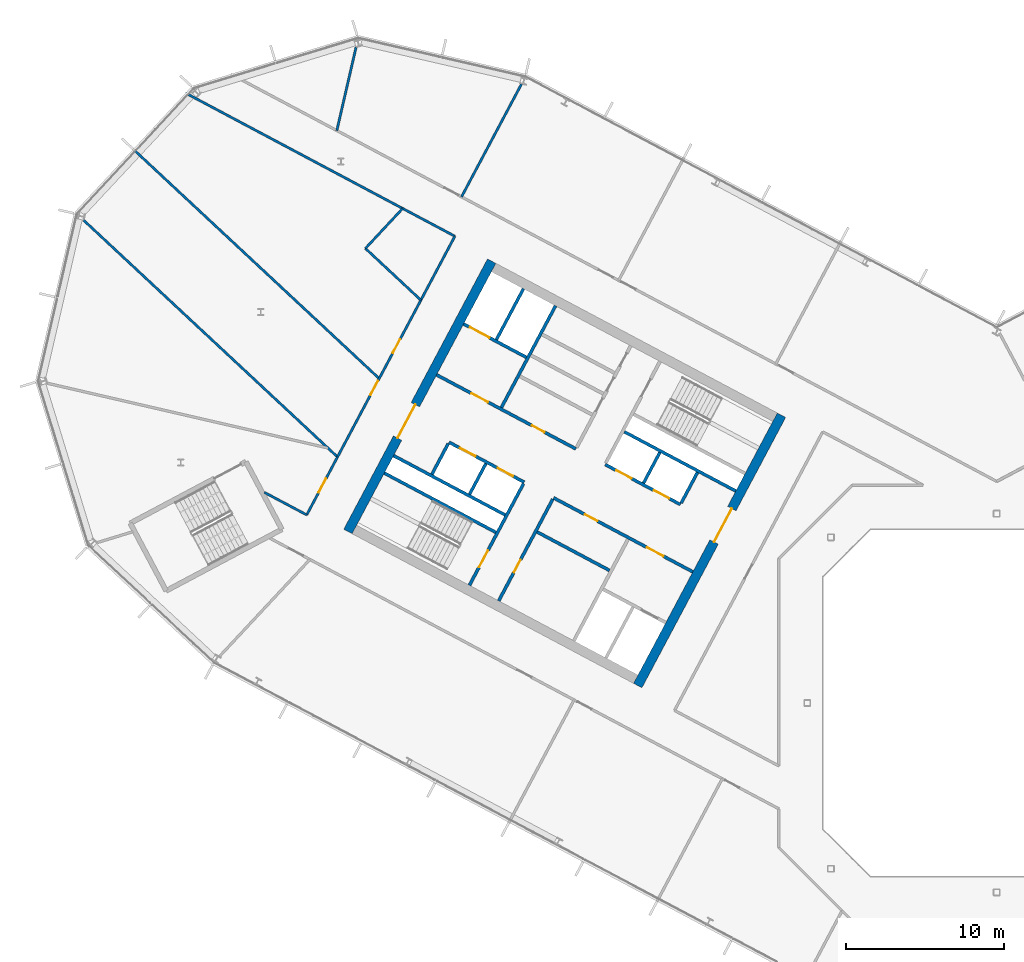
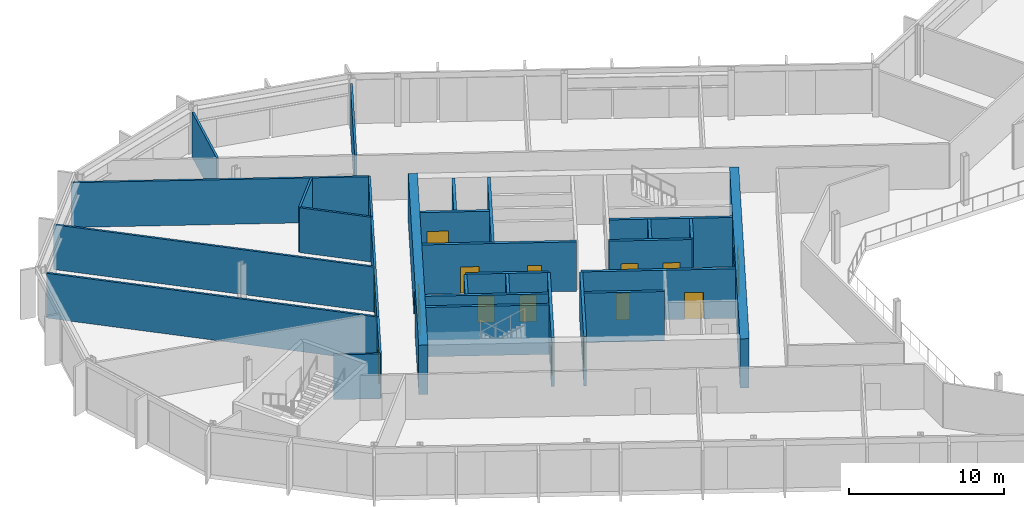
# One storey, part 14 of 27: 29 walls, 16 doors, 16 openings.
"""IFC4 building model written with IfcOpenShell, lengths in metres."""

from ifc_helpers import new_model, si_unit, direction, frame, frame_2d, origin, place, context, subcontext, project, spatial, rectangle, extrude, material, layer, layer_set, type_object, element, fill, save


model = new_model("IFC4")

# Units and contexts
model_context = context("Model", 3, precision=1e-05, world=origin(), true_north=direction((0.0, 1.0)))
body_context = subcontext(model_context, "Body", "Model", "MODEL_VIEW")
ifc_project = project(units=[si_unit("LENGTHUNIT", "METRE"), si_unit("AREAUNIT", "SQUARE_METRE"), si_unit("VOLUMEUNIT", "CUBIC_METRE"), si_unit("PLANEANGLEUNIT", "RADIAN"), si_unit("MASSUNIT", "GRAM", prefix="KILO")], contexts=[model_context])

# Site, building, storey
site_placement = place(None, origin())
site = spatial("IfcSite", under=ifc_project, at=site_placement, CompositionType="ELEMENT")
building_placement = place(site_placement, origin())
building = spatial("IfcBuilding", under=site, at=building_placement, Name="Cormorant Relay Tower", CompositionType="ELEMENT")
storey_placement = place(building_placement, frame((0.0, 0.0, 209.10009765625)))
storey = spatial("IfcBuildingStorey", under=building, at=storey_placement, Name="L45", CompositionType="ELEMENT", Elevation=209.10009765625)

# Walls
ifc_material_1 = material(Name="Concrete 40 MPa", Category="concrete")
ifc_layer_1 = layer(ifc_material_1, 0.199951171875)
ifc_layer_set_1 = layer_set([ifc_layer_1], Name="Core internal wall 200")
wall_type_1 = type_object("IfcWallType", Name="Core internal wall 200", PredefinedType="SOLIDWALL", material=ifc_layer_set_1)
wall_1_placement = place(storey_placement, frame((-21.34375, 15.87890625, 0.0), z_axis=(0.0, 0.0, 1.0), x_axis=(-0.4694473164, -0.882960484464, 0.0)))
element("IfcWall", 1, at=wall_1_placement, inside=storey, type_object=wall_type_1, Name="L45 core A shaft and room wall", PredefinedType="SOLIDWALL", context=body_context, shape_type="SweptSolid", body=[
    extrude(rectangle(XDim=2.199951171875, YDim=0.199951171875, at=frame_2d((1.10009765625, 0.0))), origin(), (0.0, 0.0, 1.0), 3.89990234375),
])
wall_2_placement = place(storey_placement, frame((-32.3662109375, 15.1708984375, 0.0), z_axis=(0.0, 0.0, 1.0), x_axis=(-0.469487830541, -0.882938942948, 0.0)))
element("IfcWall", 2, at=wall_2_placement, inside=storey, type_object=wall_type_1, Name="L45 core A shaft and room wall", PredefinedType="SOLIDWALL", context=body_context, shape_type="SweptSolid", body=[
    extrude(rectangle(XDim=2.2001953125, YDim=0.199951171875, at=frame_2d((1.10009765625, 0.0))), origin(), (0.0, 0.0, 1.0), 3.89990234375),
])
ifc_material_2 = material(Name="Concrete 50 MPa", Category="concrete")
ifc_layer_2 = layer(ifc_material_2, 0.199951171875)
ifc_layer_set_2 = layer_set([ifc_layer_2], Name="Core shaft wall 200")
wall_type_2 = type_object("IfcWallType", Name="Core shaft wall 200", PredefinedType="SHEAR", material=ifc_layer_set_2)
wall_3_placement = place(storey_placement, frame((-18.959716796875, 14.611328125, 0.0), z_axis=(0.0, 0.0, 1.0), x_axis=(-0.4694473164, -0.882960484464, 0.0)))
element("IfcWall", 3, at=wall_3_placement, inside=storey, type_object=wall_type_2, Name="L45 core A shaft wall", PredefinedType="SHEAR", context=body_context, shape_type="SweptSolid", body=[
    extrude(rectangle(XDim=2.199951171875, YDim=0.199951171875, at=frame_2d((1.10009765625, 0.0))), origin(), (0.0, 0.0, 1.0), 3.89990234375),
])

# Wall, opening, door
wall_4_placement = place(storey_placement, frame((-28.128173828125, 12.91748046875, 0.0), z_axis=(0.0, 0.0, 1.0), x_axis=(-0.469454336211, -0.882956752176, 0.0)))
wall_4 = element("IfcWall", 4, at=wall_4_placement, inside=storey, type_object=wall_type_2, Name="L45 core A shaft wall", PredefinedType="SHEAR", context=body_context, shape_type="SweptSolid", body=[
    extrude(rectangle(XDim=7.300048828125, YDim=0.199951171875, at=frame_2d((3.64990234375, 0.0))), origin(), (0.0, 0.0, 1.0), 3.89990234375),
])
opening_1_placement = place(wall_4_placement, frame((4.35009765625, 0.0, 0.0)))
opening_1 = element("IfcOpeningElement", 5, at=opening_1_placement, cuts=wall_4, Name="Opening CDD-256", PredefinedType="OPENING", context=body_context, shape_type="SweptSolid", body=[
    extrude(rectangle(XDim=0.89990234375, YDim=2.10009765625, at=frame_2d((0.449951171875, 1.050048828125))), frame((0.0, 0.10986328125, 0.0), z_axis=(0.0, -1.0, 0.0), x_axis=(1.0, 0.0, 0.0)), (0.0, 0.0, 1.0), 0.219970703125),
])
ifc_material_3 = material(Name="Steel fire door", Category="steel")
door_type_1 = type_object("IfcDoorType", Name="Core room door 900x2100", OperationType="SINGLE_SWING_LEFT", PredefinedType="DOOR", material=ifc_material_3)
door_1_placement = place(opening_1_placement, origin())
door_1 = element("IfcDoor", 6, at=door_1_placement, inside=storey, type_object=door_type_1, Name="Core room door 900x2100", OperationType="SINGLE_SWING_LEFT", OverallHeight=2.10009765625, OverallWidth=0.89990234375, PredefinedType="DOOR", context=body_context, shape_type="SweptSolid", body=[
    extrude(rectangle(XDim=0.89990234375, YDim=2.10009765625, at=frame_2d((0.449951171875, 1.050048828125))), frame((0.0, 0.02490234375, 0.0), z_axis=(0.0, -1.0, 0.0), x_axis=(1.0, 0.0, 0.0)), (0.0, 0.0, 1.0), 0.050048828125),
])
fill(opening_1, door_1)

wall_5_placement = place(storey_placement, frame((-29.982421875, 13.9033203125, 0.0), z_axis=(0.0, 0.0, 1.0), x_axis=(-0.469454336211, -0.882956752176, 0.0)))
wall_5 = element("IfcWall", 7, at=wall_5_placement, inside=storey, type_object=wall_type_2, Name="L45 core A shaft wall", PredefinedType="SHEAR", context=body_context, shape_type="SweptSolid", body=[
    extrude(rectangle(XDim=7.300048828125, YDim=0.199951171875, at=frame_2d((3.64990234375, 0.0))), origin(), (0.0, 0.0, 1.0), 3.89990234375),
])
opening_2_placement = place(wall_5_placement, frame((4.800048828125, 0.0, 0.0)))
opening_2 = element("IfcOpeningElement", 8, at=opening_2_placement, cuts=wall_5, Name="Opening CDB-039", PredefinedType="OPENING", context=body_context, shape_type="SweptSolid", body=[
    extrude(rectangle(XDim=1.199951171875, YDim=2.10009765625, at=frame_2d((0.60009765625, 1.050048828125))), frame((0.0, 0.10986328125, 0.0), z_axis=(0.0, -1.0, 0.0), x_axis=(1.0, 0.0, 0.0)), (0.0, 0.0, 1.0), 0.219970703125),
])
ifc_material_4 = material(Name="Steel fire door", Category="steel")
door_type_2 = type_object("IfcDoorType", Name="Core stair door 1200x2100", OperationType="SINGLE_SWING_LEFT", PredefinedType="DOOR", material=ifc_material_4)
door_2_placement = place(opening_2_placement, frame((1.199951171875, 0.0, 0.0), z_axis=(0.0, 0.0, 1.0), x_axis=(-1.0, 0.0, 0.0)))
door_2 = element("IfcDoor", 9, at=door_2_placement, inside=storey, type_object=door_type_2, Name="Core stair door 1200x2100", OperationType="SINGLE_SWING_RIGHT", OverallHeight=2.10009765625, OverallWidth=1.199951171875, PredefinedType="DOOR", context=body_context, shape_type="SweptSolid", body=[
    extrude(rectangle(XDim=1.199951171875, YDim=2.10009765625, at=frame_2d((0.60009765625, 1.050048828125))), frame((0.0, 0.02490234375, 0.0), z_axis=(0.0, -1.0, 0.0), x_axis=(1.0, 0.0, 0.0)), (0.0, 0.0, 1.0), 0.050048828125),
])
fill(opening_2, door_2)

# Walls
wall_6_placement = place(storey_placement, frame((-27.955322265625, 25.170654296875, 0.0), z_axis=(0.0, 0.0, 1.0), x_axis=(-0.469480409012, -0.88294288918, 0.0)))
element("IfcWall", 10, at=wall_6_placement, inside=storey, type_object=wall_type_2, Name="L45 core A shaft wall", PredefinedType="SHEAR", context=body_context, shape_type="SweptSolid", body=[
    extrude(rectangle(XDim=7.300048828125, YDim=0.199951171875, at=frame_2d((3.64990234375, 0.0))), origin(), (0.0, 0.0, 1.0), 3.89990234375),
])
wall_7_placement = place(storey_placement, frame((-34.750244140625, 16.4384765625, 0.0), z_axis=(0.0, 0.0, 1.0), x_axis=(-0.469401318492, -0.882984938828, 0.0)))
element("IfcWall", 11, at=wall_7_placement, inside=storey, type_object=wall_type_2, Name="L45 core A shaft wall", PredefinedType="SHEAR", context=body_context, shape_type="SweptSolid", body=[
    extrude(rectangle(XDim=2.199951171875, YDim=0.199951171875, at=frame_2d((1.10009765625, 0.0))), origin(), (0.0, 0.0, 1.0), 3.89990234375),
])
wall_8_placement = place(storey_placement, frame((-29.986083984375, 26.250244140625, 0.0), z_axis=(0.0, 0.0, 1.0), x_axis=(-0.469494272526, -0.882935517501, 0.0)))
element("IfcWall", 12, at=wall_8_placement, inside=storey, type_object=wall_type_2, Name="L45 core A shaft wall", PredefinedType="SHEAR", context=body_context, shape_type="SweptSolid", body=[
    extrude(rectangle(XDim=3.64990234375, YDim=0.199951171875, at=frame_2d((1.824951171875, 0.0))), origin(), (0.0, 0.0, 1.0), 3.89990234375),
])

# Wall, opening, door
wall_9_placement = place(storey_placement, frame((-29.80419921875, 21.906494140625, 0.0), z_axis=(0.0, 0.0, 1.0), x_axis=(-0.882960433586, 0.469447412093, 0.0)))
wall_9 = element("IfcWall", 13, at=wall_9_placement, inside=storey, type_object=wall_type_2, Name="L45 core A shaft wall", PredefinedType="SHEAR", context=body_context, shape_type="SweptSolid", body=[
    extrude(rectangle(XDim=4.5, YDim=0.199951171875, at=frame_2d((2.25, 0.0))), origin(), (0.0, 0.0, 1.0), 3.89990234375),
])
opening_3_placement = place(wall_9_placement, frame((2.64990234375, 0.0, 0.0)))
opening_3 = element("IfcOpeningElement", 14, at=opening_3_placement, cuts=wall_9, Name="Opening LD3-015", PredefinedType="OPENING", context=body_context, shape_type="SweptSolid", body=[
    extrude(rectangle(XDim=1.39990234375, YDim=2.39990234375, at=frame_2d((0.699951171875, 1.199951171875))), frame((0.0, 0.10986328125, 0.0), z_axis=(0.0, -1.0, 0.0), x_axis=(1.0, 0.0, 0.0)), (0.0, 0.0, 1.0), 0.219970703125),
])
ifc_material_5 = material(Name="Stainless steel 316", Category="steel")
door_type_3 = type_object("IfcDoorType", Name="Lift landing door 1400x2400", OperationType="DOUBLE_DOOR_SLIDING", PredefinedType="DOOR", material=ifc_material_5)
door_3_placement = place(opening_3_placement, origin())
door_3 = element("IfcDoor", 15, at=door_3_placement, inside=storey, type_object=door_type_3, Name="SV1 landing door", OperationType="DOUBLE_DOOR_SLIDING", OverallHeight=2.39990234375, OverallWidth=1.39990234375, PredefinedType="DOOR", context=body_context, shape_type="SweptSolid", body=[
    extrude(rectangle(XDim=1.39990234375, YDim=2.39990234375, at=frame_2d((0.699951171875, 1.199951171875))), frame((0.0, 0.02490234375, 0.0), z_axis=(0.0, -1.0, 0.0), x_axis=(1.0, 0.0, 0.0)), (0.0, 0.0, 1.0), 0.050048828125),
])
fill(opening_3, door_3)

# Wall
wall_10_placement = place(storey_placement, frame((-16.52880859375, 13.43212890625, 0.0), z_axis=(0.0, 0.0, 1.0), x_axis=(-0.88295287151, 0.469461634952, 0.0)))
element("IfcWall", 16, at=wall_10_placement, inside=storey, type_object=wall_type_2, Name="L45 core A shaft wall", PredefinedType="SHEAR", context=body_context, shape_type="SweptSolid", body=[
    extrude(rectangle(XDim=7.999755859375, YDim=0.199951171875, at=frame_2d((4.0, 0.0))), origin(), (0.0, 0.0, 1.0), 3.89990234375),
])

# Wall, openings, doors
wall_11_placement = place(storey_placement, frame((-20.03955078125, 12.58056640625, 0.0), z_axis=(0.0, 0.0, 1.0), x_axis=(-0.882942972946, 0.469480251476, 0.0)))
wall_11 = element("IfcWall", 17, at=wall_11_placement, inside=storey, type_object=wall_type_2, Name="L45 core A shaft wall", PredefinedType="SHEAR", context=body_context, shape_type="SweptSolid", body=[
    extrude(rectangle(XDim=5.39990234375, YDim=0.199951171875, at=frame_2d((2.699951171875, 0.0))), origin(), (0.0, 0.0, 1.0), 3.89990234375),
])
opening_4_placement = place(wall_11_placement, frame((0.800048828125, 0.0, 0.0)))
opening_4 = element("IfcOpeningElement", 18, at=opening_4_placement, cuts=wall_11, Name="Opening LD1-061", PredefinedType="OPENING", context=body_context, shape_type="SweptSolid", body=[
    extrude(rectangle(XDim=1.10009765625, YDim=2.10009765625, at=frame_2d((0.550048828125, 1.050048828125))), frame((0.0, 0.10986328125, 0.0), z_axis=(0.0, -1.0, 0.0), x_axis=(1.0, 0.0, 0.0)), (0.0, 0.0, 1.0), 0.219970703125),
])
opening_5_placement = place(wall_11_placement, frame((3.5, 0.0, 0.0)))
opening_5 = element("IfcOpeningElement", 19, at=opening_5_placement, cuts=wall_11, Name="Opening LD1-062", PredefinedType="OPENING", context=body_context, shape_type="SweptSolid", body=[
    extrude(rectangle(XDim=1.10009765625, YDim=2.10009765625, at=frame_2d((0.550048828125, 1.050048828125))), frame((0.0, 0.10986328125, 0.0), z_axis=(0.0, -1.0, 0.0), x_axis=(1.0, 0.0, 0.0)), (0.0, 0.0, 1.0), 0.219970703125),
])
ifc_material_6 = material(Name="Stainless steel 316", Category="steel")
door_type_4 = type_object("IfcDoorType", Name="Lift landing door 1100x2100", OperationType="DOUBLE_DOOR_SLIDING", PredefinedType="DOOR", material=ifc_material_6)
door_4_placement = place(opening_4_placement, origin())
door_4 = element("IfcDoor", 20, at=door_4_placement, inside=storey, type_object=door_type_4, Name="MR3 landing door", OperationType="DOUBLE_DOOR_SLIDING", OverallHeight=2.10009765625, OverallWidth=1.10009765625, PredefinedType="DOOR", context=body_context, shape_type="SweptSolid", body=[
    extrude(rectangle(XDim=1.10009765625, YDim=2.10009765625, at=frame_2d((0.550048828125, 1.050048828125))), frame((0.0, 0.02490234375, 0.0), z_axis=(0.0, -1.0, 0.0), x_axis=(1.0, 0.0, 0.0)), (0.0, 0.0, 1.0), 0.050048828125),
])
fill(opening_4, door_4)
door_5_placement = place(opening_5_placement, origin())
door_5 = element("IfcDoor", 21, at=door_5_placement, inside=storey, type_object=door_type_4, Name="MR4 landing door", OperationType="DOUBLE_DOOR_SLIDING", OverallHeight=2.10009765625, OverallWidth=1.10009765625, PredefinedType="DOOR", context=body_context, shape_type="SweptSolid", body=[
    extrude(rectangle(XDim=1.10009765625, YDim=2.10009765625, at=frame_2d((0.550048828125, 1.050048828125))), frame((0.0, 0.02490234375, 0.0), z_axis=(0.0, -1.0, 0.0), x_axis=(1.0, 0.0, 0.0)), (0.0, 0.0, 1.0), 0.050048828125),
])
fill(opening_5, door_5)

wall_12_placement = place(storey_placement, frame((-26.66162109375, 16.1015625, 0.0), z_axis=(0.0, 0.0, 1.0), x_axis=(-0.882940221191, 0.469485426614, 0.0)))
wall_12 = element("IfcWall", 22, at=wall_12_placement, inside=storey, type_object=wall_type_2, Name="L45 core A shaft wall", PredefinedType="SHEAR", context=body_context, shape_type="SweptSolid", body=[
    extrude(rectangle(XDim=10.0, YDim=0.199951171875, at=frame_2d((5.0, 0.0))), origin(), (0.0, 0.0, 1.0), 3.89990234375),
])
opening_6_placement = place(wall_12_placement, frame((6.300048828125, 0.0, 0.0)))
opening_6 = element("IfcOpeningElement", 23, at=opening_6_placement, cuts=wall_12, Name="Opening CDC-034", PredefinedType="OPENING", context=body_context, shape_type="SweptSolid", body=[
    extrude(rectangle(XDim=1.199951171875, YDim=2.10009765625, at=frame_2d((0.60009765625, 1.050048828125))), frame((0.0, 0.10986328125, 0.0), z_axis=(0.0, -1.0, 0.0), x_axis=(1.0, 0.0, 0.0)), (0.0, 0.0, 1.0), 0.219970703125),
])
opening_7_placement = place(wall_12_placement, frame((2.25, 0.0, 0.0)))
opening_7 = element("IfcOpeningElement", 24, at=opening_7_placement, cuts=wall_12, Name="Opening CDD-255", PredefinedType="OPENING", context=body_context, shape_type="SweptSolid", body=[
    extrude(rectangle(XDim=0.89990234375, YDim=2.10009765625, at=frame_2d((0.449951171875, 1.050048828125))), frame((0.0, 0.10986328125, 0.0), z_axis=(0.0, -1.0, 0.0), x_axis=(1.0, 0.0, 0.0)), (0.0, 0.0, 1.0), 0.219970703125),
])
ifc_material_7 = material(Name="Steel fire door", Category="steel")
door_type_5 = type_object("IfcDoorType", Name="Core lobby door 1200x2100", OperationType="SINGLE_SWING_LEFT", PredefinedType="DOOR", material=ifc_material_7)
door_6_placement = place(opening_6_placement, origin())
door_6 = element("IfcDoor", 25, at=door_6_placement, inside=storey, type_object=door_type_5, Name="Core lobby door 1200x2100", OperationType="SINGLE_SWING_LEFT", OverallHeight=2.10009765625, OverallWidth=1.199951171875, PredefinedType="DOOR", context=body_context, shape_type="SweptSolid", body=[
    extrude(rectangle(XDim=1.199951171875, YDim=2.10009765625, at=frame_2d((0.60009765625, 1.050048828125))), frame((0.0, 0.02490234375, 0.0), z_axis=(0.0, -1.0, 0.0), x_axis=(1.0, 0.0, 0.0)), (0.0, 0.0, 1.0), 0.050048828125),
])
fill(opening_6, door_6)
door_7_placement = place(opening_7_placement, origin())
door_7 = element("IfcDoor", 26, at=door_7_placement, inside=storey, type_object=door_type_1, Name="Core room door 900x2100", OperationType="SINGLE_SWING_LEFT", OverallHeight=2.10009765625, OverallWidth=0.89990234375, PredefinedType="DOOR", context=body_context, shape_type="SweptSolid", body=[
    extrude(rectangle(XDim=0.89990234375, YDim=2.10009765625, at=frame_2d((0.449951171875, 1.050048828125))), frame((0.0, 0.02490234375, 0.0), z_axis=(0.0, -1.0, 0.0), x_axis=(1.0, 0.0, 0.0)), (0.0, 0.0, 1.0), 0.050048828125),
])
fill(opening_7, door_7)

wall_13_placement = place(storey_placement, frame((-19.251708984375, 8.31103515625, 0.0), z_axis=(0.0, 0.0, 1.0), x_axis=(-0.882955722218, 0.469456273365, 0.0)))
wall_13 = element("IfcWall", 27, at=wall_13_placement, inside=storey, type_object=wall_type_2, Name="L45 core A shaft wall", PredefinedType="SHEAR", context=body_context, shape_type="SweptSolid", body=[
    extrude(rectangle(XDim=10.0, YDim=0.199951171875, at=frame_2d((5.0, 0.0))), origin(), (0.0, 0.0, 1.0), 3.89990234375),
])
opening_8_placement = place(wall_13_placement, frame((2.10009765625, 0.0, 0.0)))
opening_8 = element("IfcOpeningElement", 28, at=opening_8_placement, cuts=wall_13, Name="Opening CDC-033", PredefinedType="OPENING", context=body_context, shape_type="SweptSolid", body=[
    extrude(rectangle(XDim=1.199951171875, YDim=2.10009765625, at=frame_2d((0.60009765625, 1.050048828125))), frame((0.0, 0.10986328125, 0.0), z_axis=(0.0, -1.0, 0.0), x_axis=(1.0, 0.0, 0.0)), (0.0, 0.0, 1.0), 0.219970703125),
])
opening_9_placement = place(wall_13_placement, frame((6.85009765625, 0.0, 0.0)))
opening_9 = element("IfcOpeningElement", 29, at=opening_9_placement, cuts=wall_13, Name="Opening CDD-254", PredefinedType="OPENING", context=body_context, shape_type="SweptSolid", body=[
    extrude(rectangle(XDim=0.89990234375, YDim=2.10009765625, at=frame_2d((0.449951171875, 1.050048828125))), frame((0.0, 0.10986328125, 0.0), z_axis=(0.0, -1.0, 0.0), x_axis=(1.0, 0.0, 0.0)), (0.0, 0.0, 1.0), 0.219970703125),
])
door_8_placement = place(opening_8_placement, origin())
door_8 = element("IfcDoor", 30, at=door_8_placement, inside=storey, type_object=door_type_5, Name="Core lobby door 1200x2100", OperationType="SINGLE_SWING_RIGHT", OverallHeight=2.10009765625, OverallWidth=1.199951171875, PredefinedType="DOOR", context=body_context, shape_type="SweptSolid", body=[
    extrude(rectangle(XDim=1.199951171875, YDim=2.10009765625, at=frame_2d((0.60009765625, 1.050048828125))), frame((0.0, 0.02490234375, 0.0), z_axis=(0.0, -1.0, 0.0), x_axis=(1.0, 0.0, 0.0)), (0.0, 0.0, 1.0), 0.050048828125),
])
fill(opening_8, door_8)
door_9_placement = place(opening_9_placement, origin())
door_9 = element("IfcDoor", 31, at=door_9_placement, inside=storey, type_object=door_type_1, Name="Core room door 900x2100", OperationType="SINGLE_SWING_LEFT", OverallHeight=2.10009765625, OverallWidth=0.89990234375, PredefinedType="DOOR", context=body_context, shape_type="SweptSolid", body=[
    extrude(rectangle(XDim=0.89990234375, YDim=2.10009765625, at=frame_2d((0.449951171875, 1.050048828125))), frame((0.0, 0.02490234375, 0.0), z_axis=(0.0, -1.0, 0.0), x_axis=(1.0, 0.0, 0.0)), (0.0, 0.0, 1.0), 0.050048828125),
])
fill(opening_9, door_9)

wall_14_placement = place(storey_placement, frame((-29.935302734375, 13.991455078125, 0.0), z_axis=(0.0, 0.0, 1.0), x_axis=(-0.882952937579, 0.469461510692, 0.0)))
wall_14 = element("IfcWall", 32, at=wall_14_placement, inside=storey, type_object=wall_type_2, Name="L45 core A shaft wall", PredefinedType="SHEAR", context=body_context, shape_type="SweptSolid", body=[
    extrude(rectangle(XDim=5.400146484375, YDim=0.199951171875, at=frame_2d((2.7001953125, 0.0))), origin(), (0.0, 0.0, 1.0), 3.89990234375),
])
opening_10_placement = place(wall_14_placement, frame((0.800048828125, 0.0, 0.0)))
opening_10 = element("IfcOpeningElement", 33, at=opening_10_placement, cuts=wall_14, Name="Opening LD1-059", PredefinedType="OPENING", context=body_context, shape_type="SweptSolid", body=[
    extrude(rectangle(XDim=1.10009765625, YDim=2.10009765625, at=frame_2d((0.550048828125, 1.050048828125))), frame((0.0, 0.10986328125, 0.0), z_axis=(0.0, -1.0, 0.0), x_axis=(1.0, 0.0, 0.0)), (0.0, 0.0, 1.0), 0.219970703125),
])
opening_11_placement = place(wall_14_placement, frame((3.5, 0.0, 0.0)))
opening_11 = element("IfcOpeningElement", 34, at=opening_11_placement, cuts=wall_14, Name="Opening LD1-060", PredefinedType="OPENING", context=body_context, shape_type="SweptSolid", body=[
    extrude(rectangle(XDim=1.10009765625, YDim=2.10009765625, at=frame_2d((0.550048828125, 1.050048828125))), frame((0.0, 0.10986328125, 0.0), z_axis=(0.0, -1.0, 0.0), x_axis=(1.0, 0.0, 0.0)), (0.0, 0.0, 1.0), 0.219970703125),
])
door_10_placement = place(opening_10_placement, origin())
door_10 = element("IfcDoor", 35, at=door_10_placement, inside=storey, type_object=door_type_4, Name="MR1 landing door", OperationType="DOUBLE_DOOR_SLIDING", OverallHeight=2.10009765625, OverallWidth=1.10009765625, PredefinedType="DOOR", context=body_context, shape_type="SweptSolid", body=[
    extrude(rectangle(XDim=1.10009765625, YDim=2.10009765625, at=frame_2d((0.550048828125, 1.050048828125))), frame((0.0, 0.02490234375, 0.0), z_axis=(0.0, -1.0, 0.0), x_axis=(1.0, 0.0, 0.0)), (0.0, 0.0, 1.0), 0.050048828125),
])
fill(opening_10, door_10)
door_11_placement = place(opening_11_placement, origin())
door_11 = element("IfcDoor", 36, at=door_11_placement, inside=storey, type_object=door_type_4, Name="MR2 landing door", OperationType="DOUBLE_DOOR_SLIDING", OverallHeight=2.10009765625, OverallWidth=1.10009765625, PredefinedType="DOOR", context=body_context, shape_type="SweptSolid", body=[
    extrude(rectangle(XDim=1.10009765625, YDim=2.10009765625, at=frame_2d((0.550048828125, 1.050048828125))), frame((0.0, 0.02490234375, 0.0), z_axis=(0.0, -1.0, 0.0), x_axis=(1.0, 0.0, 0.0)), (0.0, 0.0, 1.0), 0.050048828125),
])
fill(opening_11, door_11)

# Walls
wall_15_placement = place(storey_placement, frame((-24.5283203125, 8.3984375, 0.0), z_axis=(0.0, 0.0, 1.0), x_axis=(-0.882953967957, 0.469459572775, 0.0)))
element("IfcWall", 37, at=wall_15_placement, inside=storey, type_object=wall_type_2, Name="L45 core A shaft wall", PredefinedType="SHEAR", context=body_context, shape_type="SweptSolid", body=[
    extrude(rectangle(XDim=5.199951171875, YDim=0.199951171875, at=frame_2d((2.60009765625, 0.0))), origin(), (0.0, 0.0, 1.0), 3.89990234375),
])
for number, where, z_axis, x_axis, name in (
    (38, (-31.150390625, 11.91943359375, 0.0), (0.0, 0.0, 1.0), (-0.882940221191, 0.469485426614, 0.0), "L45 core A shaft wall"),
    (39, (-31.7373046875, 10.815673828125, 0.0), (0.0, 0.0, 1.0), (-0.882940221191, 0.469485426614, 0.0), "L45 core A shaft wall"),
):
    element("IfcWall", number, at=place(storey_placement, frame(where, z_axis=z_axis, x_axis=x_axis)), inside=storey, type_object=wall_type_2, Name=name, PredefinedType="SHEAR", context=body_context, shape_type="SweptSolid", body=[
        extrude(rectangle(XDim=8.0, YDim=0.199951171875, at=frame_2d((4.0, 0.0))), origin(), (0.0, 0.0, 1.0), 3.89990234375),
    ])

# Wall, opening, door
ifc_material_8 = material(Name="Concrete 50 MPa", Category="concrete")
ifc_layer_3 = layer(ifc_material_8, 0.60009765625)
ifc_layer_set_3 = layer_set([ifc_layer_3], Name="Core wall 600")
wall_type_3 = type_object("IfcWallType", Name="Core wall 600", PredefinedType="SHEAR", material=ifc_layer_set_3)
wall_16_placement = place(storey_placement, frame((-13.634765625, 18.235595703125, 0.0), z_axis=(0.0, 0.0, 1.0), x_axis=(-0.469478769487, -0.88294376095, 0.0)))
wall_16 = element("IfcWall", 40, at=wall_16_placement, inside=storey, type_object=wall_type_3, Name="L45 core A wall", PredefinedType="SHEAR", context=body_context, shape_type="SweptSolid", body=[
    extrude(rectangle(XDim=19.400146484375, YDim=0.60009765625, at=frame_2d((9.7001953125, 0.0))), origin(), (0.0, 0.0, 1.0), 3.89990234375),
])
opening_12_placement = place(wall_16_placement, frame((6.699951171875, 0.0, 0.0)))
opening_12 = element("IfcOpeningElement", 41, at=opening_12_placement, cuts=wall_16, Name="Opening CDA-040", PredefinedType="OPENING", context=body_context, shape_type="SweptSolid", body=[
    extrude(rectangle(XDim=2.39990234375, YDim=2.39990234375, at=frame_2d((1.199951171875, 1.199951171875))), frame((0.0, 0.31005859375, 0.0), z_axis=(0.0, -1.0, 0.0), x_axis=(1.0, 0.0, 0.0)), (0.0, 0.0, 1.0), 0.6201171875),
])
ifc_material_9 = material(Name="Steel fire door", Category="steel")
door_type_6 = type_object("IfcDoorType", Name="Core lobby door 2400x2400", OperationType="DOUBLE_DOOR_SINGLE_SWING", PredefinedType="DOOR", material=ifc_material_9)
door_12_placement = place(opening_12_placement, frame((2.39990234375, 0.0, 0.0), z_axis=(0.0, 0.0, 1.0), x_axis=(-1.0, 0.0, 0.0)))
door_12 = element("IfcDoor", 42, at=door_12_placement, inside=storey, type_object=door_type_6, Name="Core lobby door 2400x2400", OperationType="DOUBLE_DOOR_SINGLE_SWING", OverallHeight=2.39990234375, OverallWidth=2.39990234375, PredefinedType="DOOR", context=body_context, shape_type="SweptSolid", body=[
    extrude(rectangle(XDim=2.39990234375, YDim=2.39990234375, at=frame_2d((1.199951171875, 1.199951171875))), frame((0.0, 0.02490234375, 0.0), z_axis=(0.0, -1.0, 0.0), x_axis=(1.0, 0.0, 0.0)), (0.0, 0.0, 1.0), 0.050048828125),
])
fill(opening_12, door_12)

wall_17_placement = place(storey_placement, frame((-32.000244140625, 28.000732421875, 0.0), z_axis=(0.0, 0.0, 1.0), x_axis=(-0.469468958625, -0.882948977511, 0.0)))
wall_17 = element("IfcWall", 43, at=wall_17_placement, inside=storey, type_object=wall_type_3, Name="L45 core A wall", PredefinedType="SHEAR", context=body_context, shape_type="SweptSolid", body=[
    extrude(rectangle(XDim=19.39990234375, YDim=0.60009765625, at=frame_2d((9.699951171875, 0.0))), origin(), (0.0, 0.0, 1.0), 3.89990234375),
])
opening_13_placement = place(wall_17_placement, frame((10.300048828125, 0.0, 0.0)))
opening_13 = element("IfcOpeningElement", 44, at=opening_13_placement, cuts=wall_17, Name="Opening CDA-041", PredefinedType="OPENING", context=body_context, shape_type="SweptSolid", body=[
    extrude(rectangle(XDim=2.39990234375, YDim=2.39990234375, at=frame_2d((1.199951171875, 1.199951171875))), frame((0.0, 0.31005859375, 0.0), z_axis=(0.0, -1.0, 0.0), x_axis=(1.0, 0.0, 0.0)), (0.0, 0.0, 1.0), 0.6201171875),
])
door_13_placement = place(opening_13_placement, origin())
door_13 = element("IfcDoor", 45, at=door_13_placement, inside=storey, type_object=door_type_6, Name="Core lobby door 2400x2400", OperationType="DOUBLE_DOOR_SINGLE_SWING", OverallHeight=2.39990234375, OverallWidth=2.39990234375, PredefinedType="DOOR", context=body_context, shape_type="SweptSolid", body=[
    extrude(rectangle(XDim=2.39990234375, YDim=2.39990234375, at=frame_2d((1.199951171875, 1.199951171875))), frame((0.0, 0.02490234375, 0.0), z_axis=(0.0, -1.0, 0.0), x_axis=(1.0, 0.0, 0.0)), (0.0, 0.0, 1.0), 0.050048828125),
])
fill(opening_13, door_13)

# Wall, openings, doors
ifc_material_10 = material(Name="Gypsum board fire partition")
ifc_layer_4 = layer(ifc_material_10, 0.14990234375)
ifc_layer_set_4 = layer_set([ifc_layer_4], Name="Corridor partition 150 EI 60")
wall_type_4 = type_object("IfcWallType", Name="Corridor partition 150 EI 60", PredefinedType="PARTITIONING", material=ifc_layer_set_4)
wall_18_placement = place(storey_placement, frame((-41.76904296875, 15.592041015625, 0.0), z_axis=(0.0, 0.0, 1.0), x_axis=(0.469444027343, 0.882962233163, 0.0)))
wall_18 = element("IfcWall", 46, at=wall_18_placement, inside=storey, type_object=wall_type_4, Name="wall/L45/part/007", PredefinedType="PARTITIONING", context=body_context, shape_type="SweptSolid", body=[
    extrude(rectangle(XDim=15.84228515625, YDim=0.14990234375, at=frame_2d((7.921142578125, 0.0))), origin(), (0.0, 0.0, 1.0), 3.539794921875),
])
opening_14_placement = place(wall_18_placement, frame((7.449951171875, 0.0, 0.0)))
opening_14 = element("IfcOpeningElement", 47, at=opening_14_placement, cuts=wall_18, Name="Opening DS-125", PredefinedType="OPENING", context=body_context, shape_type="SweptSolid", body=[
    extrude(rectangle(XDim=1.0, YDim=2.10009765625, at=frame_2d((0.5, 1.050048828125))), frame((0.0, 0.0849609375, 0.0), z_axis=(0.0, -1.0, 0.0), x_axis=(1.0, 0.0, 0.0)), (0.0, 0.0, 1.0), 0.169921875),
])
opening_15_placement = place(wall_18_placement, frame((4.449951171875, 0.0, 0.0)))
opening_15 = element("IfcOpeningElement", 48, at=opening_15_placement, cuts=wall_18, Name="Opening DS-126", PredefinedType="OPENING", context=body_context, shape_type="SweptSolid", body=[
    extrude(rectangle(XDim=1.0, YDim=2.10009765625, at=frame_2d((0.5, 1.050048828125))), frame((0.0, 0.0849609375, 0.0), z_axis=(0.0, -1.0, 0.0), x_axis=(1.0, 0.0, 0.0)), (0.0, 0.0, 1.0), 0.169921875),
])
ifc_material_11 = material(Name="Timber door leaf", Category="wood")
door_type_7 = type_object("IfcDoorType", Name="Suite door 1000x2100", OperationType="SINGLE_SWING_LEFT", PredefinedType="DOOR", material=ifc_material_11)
door_14_placement = place(opening_14_placement, origin())
door_14 = element("IfcDoor", 49, at=door_14_placement, inside=storey, type_object=door_type_7, Name="door/L45/006", OperationType="SINGLE_SWING_RIGHT", OverallHeight=2.10009765625, OverallWidth=1.0, PredefinedType="DOOR", context=body_context, shape_type="SweptSolid", body=[
    extrude(rectangle(XDim=1.0, YDim=2.10009765625, at=frame_2d((0.5, 1.050048828125))), frame((0.0, 0.02490234375, 0.0), z_axis=(0.0, -1.0, 0.0), x_axis=(1.0, 0.0, 0.0)), (0.0, 0.0, 1.0), 0.050048828125),
])
fill(opening_14, door_14)
door_15_placement = place(opening_15_placement, origin())
door_15 = element("IfcDoor", 50, at=door_15_placement, inside=storey, type_object=door_type_7, Name="door/L45/007", OperationType="SINGLE_SWING_RIGHT", OverallHeight=2.10009765625, OverallWidth=1.0, PredefinedType="DOOR", context=body_context, shape_type="SweptSolid", body=[
    extrude(rectangle(XDim=1.0, YDim=2.10009765625, at=frame_2d((0.5, 1.050048828125))), frame((0.0, 0.02490234375, 0.0), z_axis=(0.0, -1.0, 0.0), x_axis=(1.0, 0.0, 0.0)), (0.0, 0.0, 1.0), 0.050048828125),
])
fill(opening_15, door_15)

# Walls
wall_19_placement = place(storey_placement, frame((-34.33203125, 29.580078125, 0.0), z_axis=(0.0, 0.0, 1.0), x_axis=(-0.882939350293, 0.46948706447, 0.0)))
element("IfcWall", 51, at=wall_19_placement, inside=storey, type_object=wall_type_4, Name="wall/L45/part/008", PredefinedType="PARTITIONING", context=body_context, shape_type="SweptSolid", body=[
    extrude(rectangle(XDim=19.327392578125, YDim=0.14990234375, at=frame_2d((9.66357421875, 0.0))), origin(), (0.0, 0.0, 1.0), 3.539794921875),
])
wall_20_placement = place(storey_placement, frame((-46.403076171875, 13.346923828125, 0.0), z_axis=(0.0, 0.0, 1.0), x_axis=(0.882959580004, -0.46944901755, 0.0)))
element("IfcWall", 52, at=wall_20_placement, inside=storey, type_object=wall_type_4, Name="wall/L45/part/013", PredefinedType="PARTITIONING", context=body_context, shape_type="SweptSolid", body=[
    extrude(rectangle(XDim=3.03759765625, YDim=0.14990234375, at=frame_2d((1.518798828125, 0.0))), origin(), (0.0, 0.0, 1.0), 3.539794921875),
])

# Wall, opening, door
wall_21_placement = place(storey_placement, frame((-41.76904296875, 15.592041015625, 0.0), z_axis=(0.0, 0.0, 1.0), x_axis=(-0.468884925056, -0.883259263781, 0.0)))
wall_21 = element("IfcWall", 53, at=wall_21_placement, inside=storey, type_object=wall_type_4, Name="wall/L45/part/014", PredefinedType="PARTITIONING", context=body_context, shape_type="SweptSolid", body=[
    extrude(rectangle(XDim=4.160888671875, YDim=0.14990234375, at=frame_2d((2.08056640625, 0.0))), origin(), (0.0, 0.0, 1.0), 3.539794921875),
])
opening_16_placement = place(wall_21_placement, frame((1.550048828125, 0.0, 0.0)))
opening_16 = element("IfcOpeningElement", 54, at=opening_16_placement, cuts=wall_21, Name="Opening DS-127", PredefinedType="OPENING", context=body_context, shape_type="SweptSolid", body=[
    extrude(rectangle(XDim=1.0, YDim=2.10009765625, at=frame_2d((0.5, 1.050048828125))), frame((0.0, 0.0849609375, 0.0), z_axis=(0.0, -1.0, 0.0), x_axis=(1.0, 0.0, 0.0)), (0.0, 0.0, 1.0), 0.169921875),
])
door_16_placement = place(opening_16_placement, frame((1.0, 0.0, 0.0), z_axis=(0.0, 0.0, 1.0), x_axis=(-1.0, 0.0, 0.0)))
door_16 = element("IfcDoor", 55, at=door_16_placement, inside=storey, type_object=door_type_7, Name="door/L45/008", OperationType="SINGLE_SWING_RIGHT", OverallHeight=2.10009765625, OverallWidth=1.0, PredefinedType="DOOR", context=body_context, shape_type="SweptSolid", body=[
    extrude(rectangle(XDim=1.0, YDim=2.10009765625, at=frame_2d((0.5, 1.050048828125))), frame((0.0, 0.02490234375, 0.0), z_axis=(0.0, -1.0, 0.0), x_axis=(1.0, 0.0, 0.0)), (0.0, 0.0, 1.0), 0.050048828125),
])
fill(opening_16, door_16)

# Walls
ifc_material_12 = material(Name="Gypsum board partition")
ifc_layer_5 = layer(ifc_material_12, 0.14990234375)
ifc_layer_set_5 = layer_set([ifc_layer_5], Name="Tenant partition 150")
wall_type_5 = type_object("IfcWallType", Name="Tenant partition 150", PredefinedType="PARTITIONING", material=ifc_layer_set_5)
wall_22_placement = place(storey_placement, frame((-54.714111328125, 35.095947265625, 0.0), z_axis=(0.0, 0.0, 1.0), x_axis=(0.73136184742, -0.681989624656, 0.0)))
element("IfcWall", 56, at=wall_22_placement, inside=storey, type_object=wall_type_5, Name="wall/L45/part/002", PredefinedType="PARTITIONING", context=body_context, shape_type="SweptSolid", body=[
    extrude(rectangle(XDim=21.3125, YDim=0.14990234375, at=frame_2d((10.65625, 0.0))), origin(), (0.0, 0.0, 1.0), 3.539794921875),
])
wall_23_placement = place(storey_placement, frame((-41.76904296875, 15.593017578125, 0.0), z_axis=(0.0, 0.0, 1.0), x_axis=(-0.731378467381, 0.681971801067, 0.0)))
element("IfcWall", 57, at=wall_23_placement, inside=storey, type_object=wall_type_5, Name="wall/L45/part/003", PredefinedType="PARTITIONING", context=body_context, shape_type="SweptSolid", body=[
    extrude(rectangle(XDim=21.999267578125, YDim=0.14990234375, at=frame_2d((10.99951171875, 0.0))), origin(), (0.0, 0.0, 1.0), 3.539794921875),
])
wall_24_placement = place(storey_placement, frame((-37.639892578125, 31.339111328125, 0.0), z_axis=(0.0, 0.0, 1.0), x_axis=(-0.681983873773, -0.731367210035, 0.0)))
element("IfcWall", 58, at=wall_24_placement, inside=storey, type_object=wall_type_5, Name="wall/L45/part/005", PredefinedType="PARTITIONING", context=body_context, shape_type="SweptSolid", body=[
    extrude(rectangle(XDim=3.460693359375, YDim=0.14990234375, at=frame_2d((1.73046875, 0.0))), origin(), (0.0, 0.0, 1.0), 3.539794921875),
])
wall_25_placement = place(storey_placement, frame((-40.0, 28.80810546875, 0.0), z_axis=(0.0, 0.0, 1.0), x_axis=(0.731313661346, -0.682041295471, 0.0)))
element("IfcWall", 59, at=wall_25_placement, inside=storey, type_object=wall_type_5, Name="wall/L45/part/006", PredefinedType="PARTITIONING", context=body_context, shape_type="SweptSolid", body=[
    extrude(rectangle(XDim=4.80615234375, YDim=0.14990234375, at=frame_2d((2.403076171875, 0.0))), origin(), (0.0, 0.0, 1.0), 3.539794921875),
])
wall_26_placement = place(storey_placement, frame((-30.10888671875, 39.22509765625, 0.0), z_axis=(0.0, 0.0, 1.0), x_axis=(-0.469490973279, -0.882937271843, 0.0)))
element("IfcWall", 60, at=wall_26_placement, inside=storey, type_object=wall_type_5, Name="wall/L45/part/016", PredefinedType="PARTITIONING", context=body_context, shape_type="SweptSolid", body=[
    extrude(rectangle(XDim=8.09814453125, YDim=0.14990234375, at=frame_2d((4.049072265625, 0.0))), origin(), (0.0, 0.0, 1.0), 3.539794921875),
])
wall_27_placement = place(storey_placement, frame((-41.81298828125, 36.27587890625, 0.0), z_axis=(0.0, 0.0, 1.0), x_axis=(0.22495163737, 0.974369930183, 0.0)))
element("IfcWall", 61, at=wall_27_placement, inside=storey, type_object=wall_type_5, Name="wall/L45/part/017", PredefinedType="PARTITIONING", context=body_context, shape_type="SweptSolid", body=[
    extrude(rectangle(XDim=5.4189453125, YDim=0.14990234375, at=frame_2d((2.70947265625, 0.0))), origin(), (0.0, 0.0, 1.0), 3.539794921875),
])

save(model, "model.ifc")
